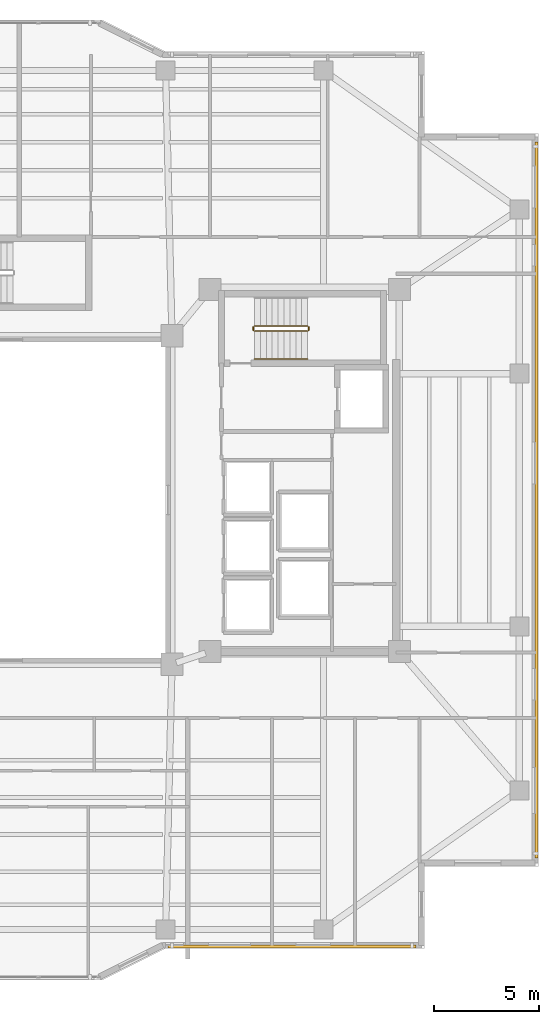
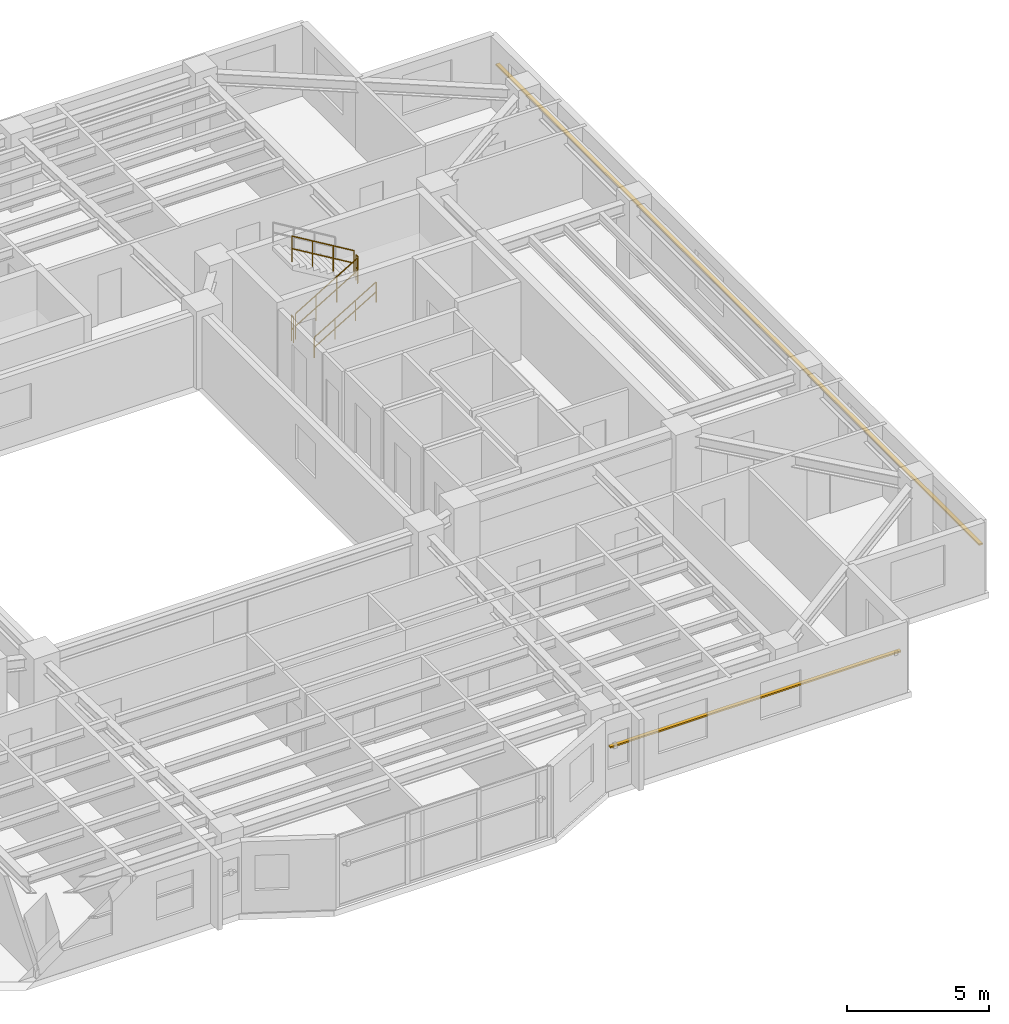
# One storey, part 14 of 15: 5 railings, 2 shading devices.
"""IFC4 building model written with IfcOpenShell, lengths in metres."""

from ifc_helpers import new_model, si_unit, direction, frame, origin, origin_2d, place, context, subcontext, project, spatial, rectangle, circle, extrude, material, material_profile, profile_set, type_object, element, save


model = new_model("IFC4")

# Units and contexts
model_context = context("Model", 3, precision=1e-05, world=origin(), true_north=direction((0.0, 1.0)))
body_context = subcontext(model_context, "Body", "Model", "MODEL_VIEW")
ifc_project = project(units=[si_unit("LENGTHUNIT", "METRE"), si_unit("AREAUNIT", "SQUARE_METRE"), si_unit("VOLUMEUNIT", "CUBIC_METRE"), si_unit("PLANEANGLEUNIT", "RADIAN"), si_unit("MASSUNIT", "GRAM", prefix="KILO")], contexts=[model_context])

# Site, building, storey
site_placement = place(None, origin())
site = spatial("IfcSite", under=ifc_project, at=site_placement, CompositionType="ELEMENT")
building_placement = place(site_placement, origin())
building = spatial("IfcBuilding", under=site, at=building_placement, Name="Tarnavaz Court Tower", CompositionType="ELEMENT")
storey_placement = place(building_placement, frame((0.0, 0.0, 169.449951171875)))
storey = spatial("IfcBuildingStorey", under=building, at=storey_placement, Name="L46", CompositionType="ELEMENT", Elevation=169.449951171875)

# Railings
ifc_material_1 = material(Name="Brushed Stainless Steel", Category="steel")
railing_type_1 = type_object("IfcRailingType", Name="RL-HANDRAIL-900", PredefinedType="HANDRAIL", material=ifc_material_1)
railing_1_placement = place(storey_placement, frame((11.719970703125, 6.699951171875, 0.16748046875)))
element("IfcRailing", 1, at=railing_1_placement, inside=storey, type_object=railing_type_1, Name="L46 ST-E1 stair handrail 1", PredefinedType="HANDRAIL", context=body_context, shape_type="SweptSolid", body=[
    extrude(circle(Radius=0.02392578125, at=origin_2d()), frame((0.0, 0.0, 0.8759765625), z_axis=(0.858159760407, 0.0, 0.513382728203), x_axis=(0.0, 1.0, 0.0)), (0.0, 0.0, 1.0), 2.9365234375),
    extrude(circle(Radius=0.02392578125, at=origin_2d()), frame((0.0, 0.0, 0.449951171875), z_axis=(0.858159760407, 0.0, 0.513382728203), x_axis=(0.0, 1.0, 0.0)), (0.0, 0.0, 1.0), 2.9365234375),
    extrude(circle(Radius=0.02099609375, at=origin_2d()), origin(), (0.0, 0.0, 1.0), 0.851806640625),
    extrude(circle(Radius=0.02099609375, at=origin_2d()), frame((0.840087890625, 0.0, 0.50244140625)), (0.0, 0.0, 1.0), 0.851806640625),
    extrude(circle(Radius=0.02099609375, at=origin_2d()), frame((1.679931640625, 0.0, 1.005126953125)), (0.0, 0.0, 1.0), 0.851806640625),
    extrude(circle(Radius=0.02099609375, at=origin_2d()), frame((2.52001953125, 0.0, 1.507568359375)), (0.0, 0.0, 1.0), 0.851806640625),
])
ifc_material_2 = material(Name="Galvanized Painted Tubular Steel", Category="steel")
railing_type_2 = type_object("IfcRailingType", Name="RL-STGUARD-1120", PredefinedType="GUARDRAIL", material=ifc_material_2)
railing_2_placement = place(storey_placement, frame((11.719970703125, 8.02001953125, 0.16748046875)))
element("IfcRailing", 2, at=railing_2_placement, inside=storey, type_object=railing_type_2, Name="L46 ST-E1 stair guard 1", PredefinedType="GUARDRAIL", context=body_context, shape_type="SweptSolid", body=[
    extrude(circle(Radius=0.02392578125, at=origin_2d()), frame((0.0, 0.0, 1.09619140625), z_axis=(0.858159760407, 0.0, 0.513382728203), x_axis=(0.0, 1.0, 0.0)), (0.0, 0.0, 1.0), 2.9365234375),
    extrude(circle(Radius=0.02392578125, at=origin_2d()), frame((0.0, 0.0, 0.56005859375), z_axis=(0.858159760407, 0.0, 0.513382728203), x_axis=(0.0, 1.0, 0.0)), (0.0, 0.0, 1.0), 2.9365234375),
    extrude(circle(Radius=0.02099609375, at=origin_2d()), origin(), (0.0, 0.0, 1.0), 1.072021484375),
    extrude(circle(Radius=0.02099609375, at=origin_2d()), frame((0.840087890625, 0.0, 0.50244140625)), (0.0, 0.0, 1.0), 1.072021484375),
    extrude(circle(Radius=0.02099609375, at=origin_2d()), frame((1.679931640625, 0.0, 1.005126953125)), (0.0, 0.0, 1.0), 1.072021484375),
    extrude(circle(Radius=0.02099609375, at=origin_2d()), frame((2.52001953125, 0.0, 1.507568359375)), (0.0, 0.0, 1.0), 1.072021484375),
])
railing_3_placement = place(storey_placement, frame((14.2900390625, 8.070068359375, 1.675048828125)))
element("IfcRailing", 3, at=railing_3_placement, inside=storey, type_object=railing_type_2, Name="L46 ST-E1 stair guard 2", PredefinedType="GUARDRAIL", context=body_context, shape_type="SweptSolid", body=[
    extrude(circle(Radius=0.02392578125, at=origin_2d()), frame((0.0, 0.0, 1.09619140625), z_axis=(0.0, 1.0, 0.0), x_axis=(-1.0, 0.0, 0.0)), (0.0, 0.0, 1.0), 0.14990234375),
    extrude(circle(Radius=0.02392578125, at=origin_2d()), frame((0.0, 0.0, 0.56005859375), z_axis=(0.0, 1.0, 0.0), x_axis=(-1.0, 0.0, 0.0)), (0.0, 0.0, 1.0), 0.14990234375),
    extrude(circle(Radius=0.02099609375, at=origin_2d()), origin(), (0.0, 0.0, 1.0), 1.072021484375),
    extrude(circle(Radius=0.02099609375, at=origin_2d()), frame((0.0, 0.14990234375, 0.0)), (0.0, 0.0, 1.0), 1.072021484375),
])
railing_4_placement = place(storey_placement, frame((14.239990234375, 8.27001953125, 1.842529296875)))
element("IfcRailing", 4, at=railing_4_placement, inside=storey, type_object=railing_type_2, Name="L46 ST-E1 stair guard 3", PredefinedType="GUARDRAIL", context=body_context, shape_type="SweptSolid", body=[
    extrude(circle(Radius=0.02392578125, at=origin_2d()), frame((0.0, 0.0, 1.09619140625), z_axis=(-0.858159760407, 0.0, 0.513382728203), x_axis=(0.0, -1.0, 0.0)), (0.0, 0.0, 1.0), 2.9365234375),
    extrude(circle(Radius=0.02392578125, at=origin_2d()), frame((0.0, 0.0, 0.56005859375), z_axis=(-0.858159760407, 0.0, 0.513382728203), x_axis=(0.0, -1.0, 0.0)), (0.0, 0.0, 1.0), 2.9365234375),
    extrude(circle(Radius=0.02099609375, at=origin_2d()), origin(), (0.0, 0.0, 1.0), 1.072021484375),
    extrude(circle(Radius=0.02099609375, at=origin_2d()), frame((-0.840087890625, 0.0, 0.50244140625)), (0.0, 0.0, 1.0), 1.072021484375),
    extrude(circle(Radius=0.02099609375, at=origin_2d()), frame((-1.679931640625, 0.0, 1.005126953125)), (0.0, 0.0, 1.0), 1.072021484375),
    extrude(circle(Radius=0.02099609375, at=origin_2d()), frame((-2.52001953125, 0.0, 1.507568359375)), (0.0, 0.0, 1.0), 1.072021484375),
])
railing_5_placement = place(storey_placement, frame((11.669921875, 8.070068359375, 0.0)))
element("IfcRailing", 5, at=railing_5_placement, inside=storey, type_object=railing_type_2, Name="L46 ST-E1 stair guard 4", PredefinedType="GUARDRAIL", context=body_context, shape_type="SweptSolid", body=[
    extrude(circle(Radius=0.02392578125, at=origin_2d()), frame((0.0, 0.0, 1.09619140625), z_axis=(0.0, 1.0, 0.0), x_axis=(-1.0, 0.0, 0.0)), (0.0, 0.0, 1.0), 0.14990234375),
    extrude(circle(Radius=0.02392578125, at=origin_2d()), frame((0.0, 0.0, 0.56005859375), z_axis=(0.0, 1.0, 0.0), x_axis=(-1.0, 0.0, 0.0)), (0.0, 0.0, 1.0), 0.14990234375),
    extrude(circle(Radius=0.02099609375, at=origin_2d()), origin(), (0.0, 0.0, 1.0), 1.072021484375),
    extrude(circle(Radius=0.02099609375, at=origin_2d()), frame((0.0, 0.14990234375, 0.0)), (0.0, 0.0, 1.0), 1.072021484375),
])

# Shading devices
ifc_material_3 = material(Name="Kiln-Fired Khorasan Terracotta Ceramic", Category="masonry")
ifc_material_profile = material_profile(ifc_material_3, rectangle(XDim=0.14990234375, YDim=0.06494140625, at=origin_2d()), Name="TC BAGUETTE 150X65")
ifc_profile_set = profile_set([ifc_material_profile], Name="Kiln-Fired Khorasan Terracotta Ceramic")
shading_device_type = type_object("IfcShadingDeviceType", Name="SD-BAG-150", PredefinedType="USERDEFINED", material=ifc_profile_set)
shading_device_1_placement = place(storey_placement, frame((25.110107421875, 17.0, 1.85009765625), z_axis=(0.0, -1.0, 0.0), x_axis=(1.0, 0.0, 0.0)))
element("IfcShadingDevice", 6, at=shading_device_1_placement, inside=storey, type_object=shading_device_type, Name="L46 Terracotta Baguette Screen FBG12", ObjectType="BAGUETTE", PredefinedType="USERDEFINED", context=body_context, shape_type="SweptSolid", body=[
    extrude(rectangle(XDim=0.14990234375, YDim=0.06494140625, at=origin_2d()), origin(), (0.0, 0.0, 1.0), 34.0),
])
shading_device_2_placement = place(storey_placement, frame((19.39990234375, -21.2099609375, 1.85009765625), z_axis=(-1.0, 0.0, 0.0), x_axis=(0.0, -1.0, 0.0)))
element("IfcShadingDevice", 7, at=shading_device_2_placement, inside=storey, type_object=shading_device_type, Name="L46 Terracotta Baguette Screen FBG15", ObjectType="BAGUETTE", PredefinedType="USERDEFINED", context=body_context, shape_type="SweptSolid", body=[
    extrude(rectangle(XDim=0.14990234375, YDim=0.06494140625, at=origin_2d()), origin(), (0.0, 0.0, 1.0), 11.7998046875),
])

save(model, "model.ifc")
